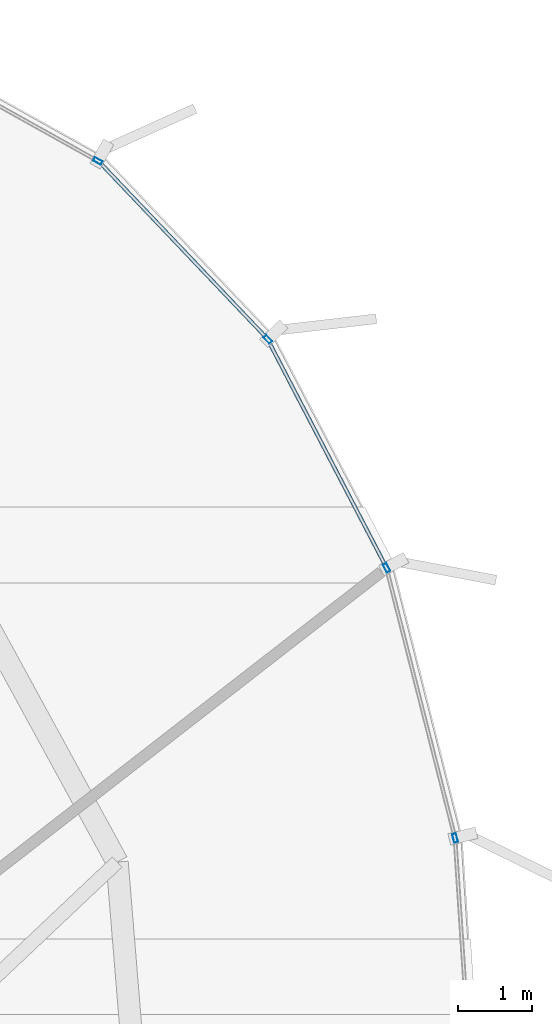
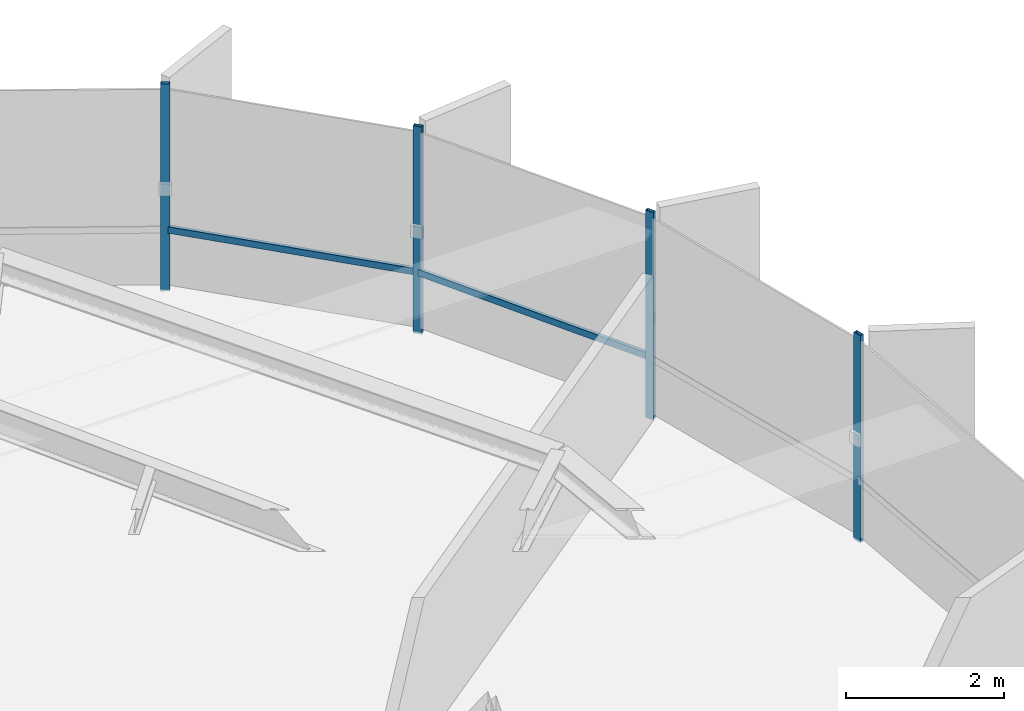
# One storey, part 26 of 35: 6 members, 2 elements without a shape of their own.
"""IFC4 building model written with IfcOpenShell, lengths in metres."""

from ifc_helpers import new_model, si_unit, direction, frame, origin, origin_2d, place, context, subcontext, project, spatial, hollow_rectangle, extrude, source, transform, mapped, material, layer, layer_set, material_profile, profile_set, type_object, element, aggregate, save


model = new_model("IFC4")

# Units and contexts
model_context = context("Model", 3, precision=1e-05, world=origin(), true_north=direction((0.0, 1.0)))
body_context = subcontext(model_context, "Body", "Model", "MODEL_VIEW")
ifc_project = project(units=[si_unit("LENGTHUNIT", "METRE"), si_unit("AREAUNIT", "SQUARE_METRE"), si_unit("VOLUMEUNIT", "CUBIC_METRE"), si_unit("PLANEANGLEUNIT", "RADIAN"), si_unit("MASSUNIT", "GRAM", prefix="KILO"), si_unit("THERMODYNAMICTEMPERATUREUNIT", "KELVIN")], contexts=[model_context])

# Site, building, storey
site_placement = place(None, origin())
site = spatial("IfcSite", under=ifc_project, at=site_placement, CompositionType="ELEMENT")
building_placement = place(site_placement, origin())
building = spatial("IfcBuilding", under=site, at=building_placement, Name="Kethvar Cultural Tower", CompositionType="ELEMENT")
storey_placement = place(building_placement, frame((0.0, 0.0, 245.64990234375)))
storey = spatial("IfcBuildingStorey", under=building, at=storey_placement, Name="L64", CompositionType="ELEMENT", Elevation=245.64990234375)

# Curtain wall, member
ifc_material = material(Name="Aluminium 6063-T6", Category="aluminium")
ifc_layer = layer(ifc_material, 0.179931640625, Name="Aluminium 6063-T6", Category="aluminium")
ifc_layer_set = layer_set([ifc_layer], Name="Aluminium 6063-T6 (180 mm)")
curtain_wall_type = type_object("IfcCurtainWallType", Name="CW-SYS-05-Z56", PredefinedType="NOTDEFINED", material=ifc_layer_set)
curtain_wall_1_placement = place(storey_placement, origin())
curtain_wall_1 = element("IfcCurtainWall", 1, at=curtain_wall_1_placement, inside=storey, type_object=curtain_wall_type, Name="L64 Curtain Wall Run 01", PredefinedType="NOTDEFINED")
ifc_material_profile_1 = material_profile(ifc_material, hollow_rectangle(XDim=0.054931640625, YDim=0.1201171875, WallThickness=0.00390625, at=origin_2d()), Name="Aluminium 6063-T6 — RHS120x55x4")
ifc_profile_set_1 = profile_set([ifc_material_profile_1], Name="Aluminium 6063-T6 — RHS120x55x4")
member_type_1 = type_object("IfcMemberType", Name="CW-SYS-05-Z56-MUL", PredefinedType="MULLION", material=ifc_profile_set_1)
shared_shape_1 = source(origin(), body_context, "Body", "SweptSolid", [
    extrude(hollow_rectangle(XDim=0.054931640625, YDim=0.1201171875, WallThickness=0.00390625, at=origin_2d()), origin(), (0.0, 0.0, 1.0), 3.210205078125),
])
member_1_placement = place(storey_placement, frame((63.390869140625, 49.221923828125, 0.0), z_axis=(0.0, 0.0, 1.0), x_axis=(-0.487036732911, -0.873381486405, 0.0)))
member_1 = element("IfcMember", 2, at=member_1_placement, type_object=member_type_1, Name="CW-L64-R01 Mullion 1", PredefinedType="MULLION", context=body_context, shape_type="MappedRepresentation", body=[
    mapped(shared_shape_1, transform((0.0, 0.0, 0.0), scale=1.0)),
])
aggregate(curtain_wall_1, [member_1])

# Curtain wall, members
curtain_wall_2_placement = place(storey_placement, origin())
curtain_wall_2 = element("IfcCurtainWall", 3, at=curtain_wall_2_placement, inside=storey, type_object=curtain_wall_type, Name="L64 Curtain Wall Run 06", PredefinedType="NOTDEFINED")
member_2_placement = place(storey_placement, frame((68.2421875, 40.0283203125, 0.0), z_axis=(0.0, 0.0, 1.0), x_axis=(-0.969132019352, -0.246542347409, 0.0)))
member_2 = element("IfcMember", 4, at=member_2_placement, type_object=member_type_1, Name="CW-L64-R06 Mullion 4", PredefinedType="MULLION", context=body_context, shape_type="MappedRepresentation", body=[
    mapped(shared_shape_1, transform((0.0, 0.0, 0.0), scale=1.0)),
])
member_3_placement = place(storey_placement, frame((67.311279296875, 43.6982421875, 0.0), z_axis=(0.0, 0.0, 1.0), x_axis=(-0.886970534633, -0.461826017774, 0.0)))
member_3 = element("IfcMember", 5, at=member_3_placement, type_object=member_type_1, Name="CW-L64-R06 Mullion 5", PredefinedType="MULLION", context=body_context, shape_type="MappedRepresentation", body=[
    mapped(shared_shape_1, transform((0.0, 0.0, 0.0), scale=1.0)),
])
member_4_placement = place(storey_placement, frame((65.69970703125, 46.801513671875, 0.0), z_axis=(0.0, 0.0, 1.0), x_axis=(-0.724821490821, -0.688936721655, 0.0)))
member_4 = element("IfcMember", 6, at=member_4_placement, type_object=member_type_1, Name="CW-L64-R06 Mullion 6", PredefinedType="MULLION", context=body_context, shape_type="MappedRepresentation", body=[
    mapped(shared_shape_1, transform((0.0, 0.0, 0.0), scale=1.0)),
])
ifc_material_profile_2 = material_profile(ifc_material, hollow_rectangle(XDim=0.050048828125, YDim=0.10009765625, WallThickness=0.00390625, at=origin_2d()), Name="Aluminium 6063-T6 — RHS100x50x4")
ifc_profile_set_2 = profile_set([ifc_material_profile_2], Name="Aluminium 6063-T6 — RHS100x50x4")
member_type_2 = type_object("IfcMemberType", Name="CW-SYS-05-Z56-TRN", PredefinedType="USERDEFINED", material=ifc_profile_set_2)
shared_shape_2 = source(origin(), body_context, "Body", "SweptSolid", [
    extrude(hollow_rectangle(XDim=0.050048828125, YDim=0.10009765625, WallThickness=0.00390625, at=origin_2d()), origin(), (0.0, 0.0, 1.0), 3.4453125),
])
member_5_placement = place(storey_placement, frame((67.29296875, 43.7333984375, 0.9501953125), z_axis=(-0.461807835051, 0.886980001739, 0.0), x_axis=(-0.886980001739, -0.461807835051, 0.0)))
member_5 = element("IfcMember", 7, at=member_5_placement, type_object=member_type_2, Name="CW-L64-R06 Transom 5", ObjectType="TRANSOM", PredefinedType="USERDEFINED", context=body_context, shape_type="MappedRepresentation", body=[
    mapped(shared_shape_2, transform((0.0, 0.0, 0.0), scale=1.0)),
])
shared_shape_3 = source(origin(), body_context, "Body", "SweptSolid", [
    extrude(hollow_rectangle(XDim=0.050048828125, YDim=0.10009765625, WallThickness=0.00390625, at=origin_2d()), origin(), (0.0, 0.0, 1.0), 3.26123046875),
])
member_6_placement = place(storey_placement, frame((65.67236328125, 46.830322265625, 0.9501953125), z_axis=(-0.688950115425, 0.72480875992, 0.0), x_axis=(-0.72480875992, -0.688950115425, 0.0)))
member_6 = element("IfcMember", 8, at=member_6_placement, type_object=member_type_2, Name="CW-L64-R06 Transom 6", ObjectType="TRANSOM", PredefinedType="USERDEFINED", context=body_context, shape_type="MappedRepresentation", body=[
    mapped(shared_shape_3, transform((0.0, 0.0, 0.0), scale=1.0)),
])
aggregate(curtain_wall_2, [member_2, member_3, member_4, member_5, member_6])

save(model, "model.ifc")
